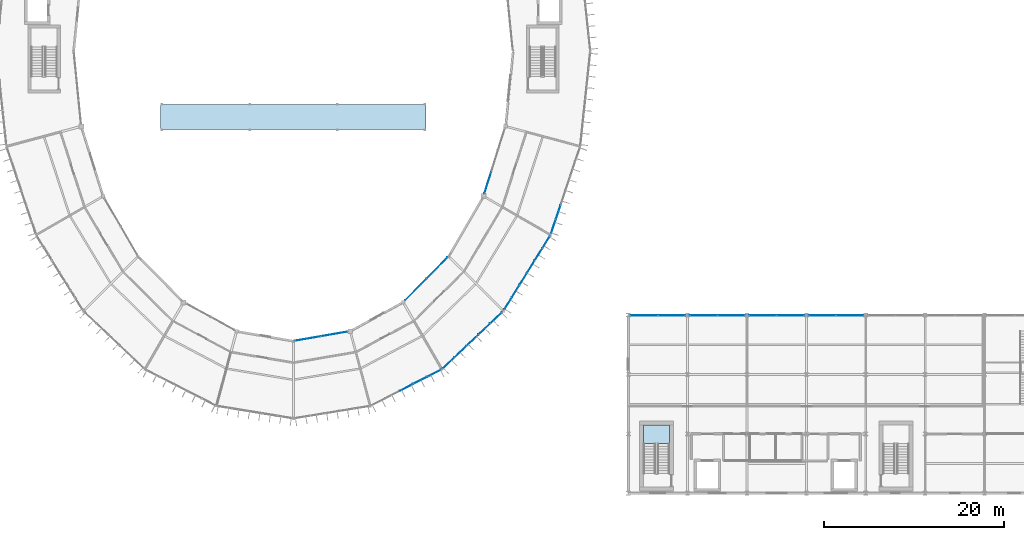
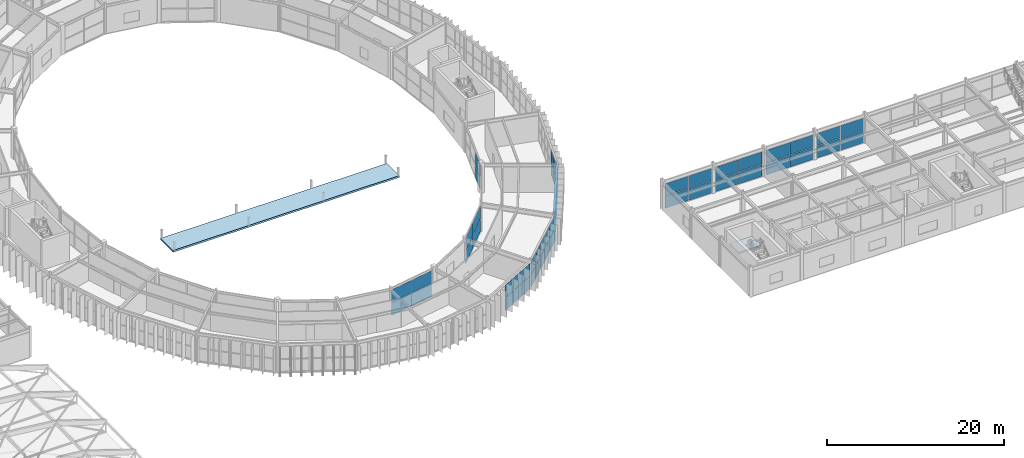
# One storey, part 115 of 157: 58 plates, 2 slabs, 12 elements without a shape of their own.
"""IFC4 building model written with IfcOpenShell, lengths in metres."""

from ifc_helpers import new_model, si_unit, direction, frame, origin, origin_2d, place, context, subcontext, project, spatial, polyline, rectangle, outline, extrude, material, layer, layer_set, type_object, element, aggregate, save


model = new_model("IFC4")

# Units and contexts
model_context = context("Model", 3, precision=1e-05, world=origin(), true_north=direction((0.0, 1.0)))
body_context = subcontext(model_context, "Body", "Model", "MODEL_VIEW")
ifc_project = project(units=[si_unit("LENGTHUNIT", "METRE"), si_unit("AREAUNIT", "SQUARE_METRE"), si_unit("VOLUMEUNIT", "CUBIC_METRE"), si_unit("PLANEANGLEUNIT", "RADIAN"), si_unit("MASSUNIT", "GRAM", prefix="KILO")], contexts=[model_context])

# Site, building, storey
site_placement = place(None, origin())
site = spatial("IfcSite", under=ifc_project, at=site_placement, CompositionType="ELEMENT")
building_placement = place(site_placement, origin())
building = spatial("IfcBuilding", under=site, at=building_placement, Name="Karori Crest Natural Sciences Institute", CompositionType="ELEMENT")
storey_placement = place(building_placement, frame((0.0, 0.0, 13.300048828125)))
storey = spatial("IfcBuildingStorey", under=building, at=storey_placement, Name="L03", CompositionType="ELEMENT", Elevation=13.300048828125)

# Curtain wall, plates
ifc_material_1 = material(Name="Anodised architectural aluminium 6063-T6", Category="aluminium")
curtain_wall_type_1 = type_object("IfcCurtainWallType", Name="CWT-14", PredefinedType="NOTDEFINED", material=ifc_material_1)
curtain_wall_1_placement = place(storey_placement, origin())
curtain_wall_1 = element("IfcCurtainWall", 1, at=curtain_wall_1_placement, inside=storey, type_object=curtain_wall_type_1, Name="Curtain wall CW-0128", PredefinedType="NOTDEFINED")
ifc_material_2 = material(Name="Double low-E laminated glass", Category="glass")
ifc_layer_1 = layer(ifc_material_2, 0.02392578125, Name="Double low-E laminated glass")
ifc_layer_set_1 = layer_set([ifc_layer_1], Name="Double low-E laminated glass")
plate_type_1 = type_object("IfcPlateType", Name="CWP-01", PredefinedType="CURTAIN_PANEL", material=ifc_layer_set_1)
plate_1_placement = place(storey_placement, frame((68.001953125, 17.978271484375, 0.06005859375), z_axis=(0.0, 0.0, 1.0), x_axis=(0.985240827231, 0.171173924291, 0.0)))
plate_1 = element("IfcPlate", 2, at=plate_1_placement, type_object=plate_type_1, Name="CW-0128 panel 1.1", PredefinedType="CURTAIN_PANEL", context=body_context, shape_type="SweptSolid", body=[
    extrude(rectangle(XDim=2.91796875, YDim=0.02392578125, at=origin_2d()), origin(), (0.0, 0.0, 1.0), 1.735107421875),
])
plate_2_placement = place(storey_placement, frame((68.001953125, 17.978271484375, 1.85498046875), z_axis=(0.0, 0.0, 1.0), x_axis=(0.985240827231, 0.171173924291, 0.0)))
plate_2 = element("IfcPlate", 3, at=plate_2_placement, type_object=plate_type_1, Name="CW-0128 panel 1.2", PredefinedType="CURTAIN_PANEL", context=body_context, shape_type="SweptSolid", body=[
    extrude(rectangle(XDim=2.91796875, YDim=0.02392578125, at=origin_2d()), origin(), (0.0, 0.0, 1.0), 1.735107421875),
])
plate_3_placement = place(storey_placement, frame((70.940673828125, 18.489013671875, 0.06005859375), z_axis=(0.0, 0.0, 1.0), x_axis=(0.985240827231, 0.171173924291, 0.0)))
plate_3 = element("IfcPlate", 4, at=plate_3_placement, type_object=plate_type_1, Name="CW-0128 panel 2.1", PredefinedType="CURTAIN_PANEL", context=body_context, shape_type="SweptSolid", body=[
    extrude(rectangle(XDim=2.91796875, YDim=0.02392578125, at=origin_2d()), origin(), (0.0, 0.0, 1.0), 1.735107421875),
])
plate_4_placement = place(storey_placement, frame((70.940673828125, 18.489013671875, 1.85498046875), z_axis=(0.0, 0.0, 1.0), x_axis=(0.985240827231, 0.171173924291, 0.0)))
plate_4 = element("IfcPlate", 5, at=plate_4_placement, type_object=plate_type_1, Name="CW-0128 panel 2.2", PredefinedType="CURTAIN_PANEL", context=body_context, shape_type="SweptSolid", body=[
    extrude(rectangle(XDim=2.91796875, YDim=0.02392578125, at=origin_2d()), origin(), (0.0, 0.0, 1.0), 1.735107421875),
])
aggregate(curtain_wall_1, [plate_1, plate_2, plate_3, plate_4])

curtain_wall_type_2 = type_object("IfcCurtainWallType", Name="CWT-11", PredefinedType="NOTDEFINED", material=ifc_material_1)
curtain_wall_2_placement = place(storey_placement, origin())
curtain_wall_2 = element("IfcCurtainWall", 6, at=curtain_wall_2_placement, inside=storey, type_object=curtain_wall_type_2, Name="Curtain wall CW-0131", PredefinedType="NOTDEFINED")
plate_5_placement = place(storey_placement, frame((79.99658203125, 23.42822265625, 0.06005859375), z_axis=(0.0, 0.0, 1.0), x_axis=(0.702660818381, 0.711524963942, 0.0)))
plate_5 = element("IfcPlate", 7, at=plate_5_placement, type_object=plate_type_1, Name="CW-0131 panel 1.1", PredefinedType="CURTAIN_PANEL", context=body_context, shape_type="SweptSolid", body=[
    extrude(rectangle(XDim=3.286865234375, YDim=0.02392578125, at=origin_2d()), origin(), (0.0, 0.0, 1.0), 1.735107421875),
])
plate_6_placement = place(storey_placement, frame((79.99658203125, 23.42822265625, 1.85498046875), z_axis=(0.0, 0.0, 1.0), x_axis=(0.702660818381, 0.711524963942, 0.0)))
plate_6 = element("IfcPlate", 8, at=plate_6_placement, type_object=plate_type_1, Name="CW-0131 panel 1.2", PredefinedType="CURTAIN_PANEL", context=body_context, shape_type="SweptSolid", body=[
    extrude(rectangle(XDim=3.286865234375, YDim=0.02392578125, at=origin_2d()), origin(), (0.0, 0.0, 1.0), 1.735107421875),
])
plate_7_placement = place(storey_placement, frame((82.351806640625, 25.813232421875, 0.06005859375), z_axis=(0.0, 0.0, 1.0), x_axis=(0.702660818381, 0.711524963942, 0.0)))
plate_7 = element("IfcPlate", 9, at=plate_7_placement, type_object=plate_type_1, Name="CW-0131 panel 2.1", PredefinedType="CURTAIN_PANEL", context=body_context, shape_type="SweptSolid", body=[
    extrude(rectangle(XDim=3.286865234375, YDim=0.02392578125, at=origin_2d()), origin(), (0.0, 0.0, 1.0), 1.735107421875),
])
plate_8_placement = place(storey_placement, frame((82.351806640625, 25.813232421875, 1.85498046875), z_axis=(0.0, 0.0, 1.0), x_axis=(0.702660818381, 0.711524963942, 0.0)))
plate_8 = element("IfcPlate", 10, at=plate_8_placement, type_object=plate_type_1, Name="CW-0131 panel 2.2", PredefinedType="CURTAIN_PANEL", context=body_context, shape_type="SweptSolid", body=[
    extrude(rectangle(XDim=3.286865234375, YDim=0.02392578125, at=origin_2d()), origin(), (0.0, 0.0, 1.0), 1.735107421875),
])
aggregate(curtain_wall_2, [plate_5, plate_6, plate_7, plate_8])

curtain_wall_type_3 = type_object("IfcCurtainWallType", Name="CWT-02", PredefinedType="NOTDEFINED", material=ifc_material_1)
curtain_wall_3_placement = place(storey_placement, origin())
curtain_wall_3 = element("IfcCurtainWall", 11, at=curtain_wall_3_placement, inside=storey, type_object=curtain_wall_type_3, Name="Curtain wall CW-0132", PredefinedType="NOTDEFINED")
plate_9_placement = place(storey_placement, frame((94.468505859375, 28.677978515625, 0.06005859375), z_axis=(0.0, 0.0, 1.0), x_axis=(-0.527323896352, -0.849664350398, 0.0)))
plate_9 = element("IfcPlate", 12, at=plate_9_placement, type_object=plate_type_1, Name="CW-0132 panel 1.1", PredefinedType="CURTAIN_PANEL", context=body_context, shape_type="SweptSolid", body=[
    extrude(rectangle(XDim=1.51025390625, YDim=0.02392578125, at=origin_2d()), origin(), (0.0, 0.0, 1.0), 1.722412109375),
])
plate_10_placement = place(storey_placement, frame((94.468505859375, 28.677978515625, 1.84228515625), z_axis=(0.0, 0.0, 1.0), x_axis=(-0.527323896352, -0.849664350398, 0.0)))
plate_10 = element("IfcPlate", 13, at=plate_10_placement, type_object=plate_type_1, Name="CW-0132 panel 1.2", PredefinedType="CURTAIN_PANEL", context=body_context, shape_type="SweptSolid", body=[
    extrude(rectangle(XDim=1.51025390625, YDim=0.02392578125, at=origin_2d()), origin(), (0.0, 0.0, 1.0), 1.722412109375),
])
plate_11_placement = place(storey_placement, frame((93.62939453125, 27.32568359375, 0.06005859375), z_axis=(0.0, 0.0, 1.0), x_axis=(-0.527323896352, -0.849664350398, 0.0)))
plate_11 = element("IfcPlate", 14, at=plate_11_placement, type_object=plate_type_1, Name="CW-0132 panel 2.1", PredefinedType="CURTAIN_PANEL", context=body_context, shape_type="SweptSolid", body=[
    extrude(rectangle(XDim=1.542724609375, YDim=0.02392578125, at=origin_2d()), origin(), (0.0, 0.0, 1.0), 1.722412109375),
])
plate_12_placement = place(storey_placement, frame((93.62939453125, 27.32568359375, 1.84228515625), z_axis=(0.0, 0.0, 1.0), x_axis=(-0.527323896352, -0.849664350398, 0.0)))
plate_12 = element("IfcPlate", 15, at=plate_12_placement, type_object=plate_type_1, Name="CW-0132 panel 2.2", PredefinedType="CURTAIN_PANEL", context=body_context, shape_type="SweptSolid", body=[
    extrude(rectangle(XDim=1.542724609375, YDim=0.02392578125, at=origin_2d()), origin(), (0.0, 0.0, 1.0), 1.722412109375),
])
plate_13_placement = place(storey_placement, frame((92.781494140625, 25.95947265625, 0.06005859375), z_axis=(0.0, 0.0, 1.0), x_axis=(-0.527323896352, -0.849664350398, 0.0)))
plate_13 = element("IfcPlate", 16, at=plate_13_placement, type_object=plate_type_1, Name="CW-0132 panel 3.1", PredefinedType="CURTAIN_PANEL", context=body_context, shape_type="SweptSolid", body=[
    extrude(rectangle(XDim=1.542724609375, YDim=0.02392578125, at=origin_2d()), origin(), (0.0, 0.0, 1.0), 1.722412109375),
])
plate_14_placement = place(storey_placement, frame((92.781494140625, 25.95947265625, 1.84228515625), z_axis=(0.0, 0.0, 1.0), x_axis=(-0.527323896352, -0.849664350398, 0.0)))
plate_14 = element("IfcPlate", 17, at=plate_14_placement, type_object=plate_type_1, Name="CW-0132 panel 3.2", PredefinedType="CURTAIN_PANEL", context=body_context, shape_type="SweptSolid", body=[
    extrude(rectangle(XDim=1.542724609375, YDim=0.02392578125, at=origin_2d()), origin(), (0.0, 0.0, 1.0), 1.722412109375),
])
plate_15_placement = place(storey_placement, frame((91.93359375, 24.593505859375, 0.06005859375), z_axis=(0.0, 0.0, 1.0), x_axis=(-0.527323896352, -0.849664350398, 0.0)))
plate_15 = element("IfcPlate", 18, at=plate_15_placement, type_object=plate_type_1, Name="CW-0132 panel 4.1", PredefinedType="CURTAIN_PANEL", context=body_context, shape_type="SweptSolid", body=[
    extrude(rectangle(XDim=1.542724609375, YDim=0.02392578125, at=origin_2d()), origin(), (0.0, 0.0, 1.0), 1.722412109375),
])
plate_16_placement = place(storey_placement, frame((91.93359375, 24.593505859375, 1.84228515625), z_axis=(0.0, 0.0, 1.0), x_axis=(-0.527323896352, -0.849664350398, 0.0)))
plate_16 = element("IfcPlate", 19, at=plate_16_placement, type_object=plate_type_1, Name="CW-0132 panel 4.2", PredefinedType="CURTAIN_PANEL", context=body_context, shape_type="SweptSolid", body=[
    extrude(rectangle(XDim=1.542724609375, YDim=0.02392578125, at=origin_2d()), origin(), (0.0, 0.0, 1.0), 1.722412109375),
])
plate_17_placement = place(storey_placement, frame((91.0859375, 23.227294921875, 0.06005859375), z_axis=(0.0, 0.0, 1.0), x_axis=(-0.527323896352, -0.849664350398, 0.0)))
plate_17 = element("IfcPlate", 20, at=plate_17_placement, type_object=plate_type_1, Name="CW-0132 panel 5.1", PredefinedType="CURTAIN_PANEL", context=body_context, shape_type="SweptSolid", body=[
    extrude(rectangle(XDim=1.542724609375, YDim=0.02392578125, at=origin_2d()), origin(), (0.0, 0.0, 1.0), 1.722412109375),
])
plate_18_placement = place(storey_placement, frame((91.0859375, 23.227294921875, 1.84228515625), z_axis=(0.0, 0.0, 1.0), x_axis=(-0.527323896352, -0.849664350398, 0.0)))
plate_18 = element("IfcPlate", 21, at=plate_18_placement, type_object=plate_type_1, Name="CW-0132 panel 5.2", PredefinedType="CURTAIN_PANEL", context=body_context, shape_type="SweptSolid", body=[
    extrude(rectangle(XDim=1.542724609375, YDim=0.02392578125, at=origin_2d()), origin(), (0.0, 0.0, 1.0), 1.722412109375),
])
plate_19_placement = place(storey_placement, frame((90.24658203125, 21.875244140625, 0.06005859375), z_axis=(0.0, 0.0, 1.0), x_axis=(-0.527323896352, -0.849664350398, 0.0)))
plate_19 = element("IfcPlate", 22, at=plate_19_placement, type_object=plate_type_1, Name="CW-0132 panel 6.1", PredefinedType="CURTAIN_PANEL", context=body_context, shape_type="SweptSolid", body=[
    extrude(rectangle(XDim=1.51025390625, YDim=0.02392578125, at=origin_2d()), origin(), (0.0, 0.0, 1.0), 1.722412109375),
])
plate_20_placement = place(storey_placement, frame((90.24658203125, 21.875244140625, 1.84228515625), z_axis=(0.0, 0.0, 1.0), x_axis=(-0.527323896352, -0.849664350398, 0.0)))
plate_20 = element("IfcPlate", 23, at=plate_20_placement, type_object=plate_type_1, Name="CW-0132 panel 6.2", PredefinedType="CURTAIN_PANEL", context=body_context, shape_type="SweptSolid", body=[
    extrude(rectangle(XDim=1.51025390625, YDim=0.02392578125, at=origin_2d()), origin(), (0.0, 0.0, 1.0), 1.722412109375),
])
aggregate(curtain_wall_3, [plate_9, plate_10, plate_11, plate_12, plate_13, plate_14, plate_15, plate_16, plate_17, plate_18, plate_19, plate_20])

curtain_wall_type_4 = type_object("IfcCurtainWallType", Name="CWT-13", PredefinedType="NOTDEFINED", material=ifc_material_1)
curtain_wall_4_placement = place(storey_placement, origin())
curtain_wall_4 = element("IfcCurtainWall", 24, at=curtain_wall_4_placement, inside=storey, type_object=curtain_wall_type_4, Name="Curtain wall CW-0134", PredefinedType="NOTDEFINED")
plate_21_placement = place(storey_placement, frame((88.003173828125, 35.304443359375, 0.06005859375), z_axis=(0.0, 0.0, 1.0), x_axis=(0.299475254154, 0.954104067778, 0.0)))
plate_21 = element("IfcPlate", 25, at=plate_21_placement, type_object=plate_type_1, Name="CW-0134 panel 1.1", PredefinedType="CURTAIN_PANEL", context=body_context, shape_type="SweptSolid", body=[
    extrude(rectangle(XDim=2.451171875, YDim=0.02392578125, at=origin_2d()), origin(), (0.0, 0.0, 1.0), 1.735107421875),
])
plate_22_placement = place(storey_placement, frame((88.003173828125, 35.304443359375, 1.85498046875), z_axis=(0.0, 0.0, 1.0), x_axis=(0.299475254154, 0.954104067778, 0.0)))
plate_22 = element("IfcPlate", 26, at=plate_22_placement, type_object=plate_type_1, Name="CW-0134 panel 1.2", PredefinedType="CURTAIN_PANEL", context=body_context, shape_type="SweptSolid", body=[
    extrude(rectangle(XDim=2.451171875, YDim=0.02392578125, at=origin_2d()), origin(), (0.0, 0.0, 1.0), 1.735107421875),
])
aggregate(curtain_wall_4, [plate_21, plate_22])

curtain_wall_type_5 = type_object("IfcCurtainWallType", Name="CWT-20", PredefinedType="NOTDEFINED", material=ifc_material_1)
curtain_wall_5_placement = place(storey_placement, origin())
curtain_wall_5 = element("IfcCurtainWall", 27, at=curtain_wall_5_placement, inside=storey, type_object=curtain_wall_type_5, Name="Curtain wall CW-0322", PredefinedType="NOTDEFINED")
plate_23_placement = place(storey_placement, frame((105.365234375, 20.5400390625, 0.059814453125), z_axis=(0.0, 0.0, 1.0), x_axis=(1.0, 0.0, 0.0)))
plate_23 = element("IfcPlate", 28, at=plate_23_placement, type_object=plate_type_1, Name="CW-0322 panel 1.1", PredefinedType="CURTAIN_PANEL", context=body_context, shape_type="SweptSolid", body=[
    extrude(rectangle(XDim=3.00439453125, YDim=0.02392578125, at=origin_2d()), origin(), (0.0, 0.0, 1.0), 1.66259765625),
])
plate_24_placement = place(storey_placement, frame((105.365234375, 20.5400390625, 1.782470703125), z_axis=(0.0, 0.0, 1.0), x_axis=(1.0, 0.0, 0.0)))
plate_24 = element("IfcPlate", 29, at=plate_24_placement, type_object=plate_type_1, Name="CW-0322 panel 1.2", PredefinedType="CURTAIN_PANEL", context=body_context, shape_type="SweptSolid", body=[
    extrude(rectangle(XDim=3.00439453125, YDim=0.02392578125, at=origin_2d()), origin(), (0.0, 0.0, 1.0), 1.66259765625),
])
plate_25_placement = place(storey_placement, frame((108.434814453125, 20.5400390625, 0.059814453125), z_axis=(0.0, 0.0, 1.0), x_axis=(1.0, 0.0, 0.0)))
plate_25 = element("IfcPlate", 30, at=plate_25_placement, type_object=plate_type_1, Name="CW-0322 panel 2.1", PredefinedType="CURTAIN_PANEL", context=body_context, shape_type="SweptSolid", body=[
    extrude(rectangle(XDim=3.00439453125, YDim=0.02392578125, at=origin_2d()), origin(), (0.0, 0.0, 1.0), 1.66259765625),
])
plate_26_placement = place(storey_placement, frame((108.434814453125, 20.5400390625, 1.782470703125), z_axis=(0.0, 0.0, 1.0), x_axis=(1.0, 0.0, 0.0)))
plate_26 = element("IfcPlate", 31, at=plate_26_placement, type_object=plate_type_1, Name="CW-0322 panel 2.2", PredefinedType="CURTAIN_PANEL", context=body_context, shape_type="SweptSolid", body=[
    extrude(rectangle(XDim=3.00439453125, YDim=0.02392578125, at=origin_2d()), origin(), (0.0, 0.0, 1.0), 1.66259765625),
])
aggregate(curtain_wall_5, [plate_23, plate_24, plate_25, plate_26])

curtain_wall_6_placement = place(storey_placement, origin())
curtain_wall_6 = element("IfcCurtainWall", 32, at=curtain_wall_6_placement, inside=storey, type_object=curtain_wall_type_5, Name="Curtain wall CW-0323", PredefinedType="NOTDEFINED")
plate_27_placement = place(storey_placement, frame((111.96533203125, 20.5400390625, 0.059814453125), z_axis=(0.0, 0.0, 1.0), x_axis=(1.0, 0.0, 0.0)))
plate_27 = element("IfcPlate", 33, at=plate_27_placement, type_object=plate_type_1, Name="CW-0323 panel 1.1", PredefinedType="CURTAIN_PANEL", context=body_context, shape_type="SweptSolid", body=[
    extrude(rectangle(XDim=3.00439453125, YDim=0.02392578125, at=origin_2d()), origin(), (0.0, 0.0, 1.0), 1.66259765625),
])
plate_28_placement = place(storey_placement, frame((111.96533203125, 20.5400390625, 1.782470703125), z_axis=(0.0, 0.0, 1.0), x_axis=(1.0, 0.0, 0.0)))
plate_28 = element("IfcPlate", 34, at=plate_28_placement, type_object=plate_type_1, Name="CW-0323 panel 1.2", PredefinedType="CURTAIN_PANEL", context=body_context, shape_type="SweptSolid", body=[
    extrude(rectangle(XDim=3.00439453125, YDim=0.02392578125, at=origin_2d()), origin(), (0.0, 0.0, 1.0), 1.66259765625),
])
plate_29_placement = place(storey_placement, frame((115.03466796875, 20.5400390625, 0.059814453125), z_axis=(0.0, 0.0, 1.0), x_axis=(1.0, 0.0, 0.0)))
plate_29 = element("IfcPlate", 35, at=plate_29_placement, type_object=plate_type_1, Name="CW-0323 panel 2.1", PredefinedType="CURTAIN_PANEL", context=body_context, shape_type="SweptSolid", body=[
    extrude(rectangle(XDim=3.00439453125, YDim=0.02392578125, at=origin_2d()), origin(), (0.0, 0.0, 1.0), 1.66259765625),
])
plate_30_placement = place(storey_placement, frame((115.03466796875, 20.5400390625, 1.782470703125), z_axis=(0.0, 0.0, 1.0), x_axis=(1.0, 0.0, 0.0)))
plate_30 = element("IfcPlate", 36, at=plate_30_placement, type_object=plate_type_1, Name="CW-0323 panel 2.2", PredefinedType="CURTAIN_PANEL", context=body_context, shape_type="SweptSolid", body=[
    extrude(rectangle(XDim=3.00439453125, YDim=0.02392578125, at=origin_2d()), origin(), (0.0, 0.0, 1.0), 1.66259765625),
])
aggregate(curtain_wall_6, [plate_27, plate_28, plate_29, plate_30])

curtain_wall_7_placement = place(storey_placement, origin())
curtain_wall_7 = element("IfcCurtainWall", 37, at=curtain_wall_7_placement, inside=storey, type_object=curtain_wall_type_5, Name="Curtain wall CW-0324", PredefinedType="NOTDEFINED")
plate_31_placement = place(storey_placement, frame((118.565185546875, 20.5400390625, 0.059814453125), z_axis=(0.0, 0.0, 1.0), x_axis=(1.0, 0.0, 0.0)))
plate_31 = element("IfcPlate", 38, at=plate_31_placement, type_object=plate_type_1, Name="CW-0324 panel 1.1", PredefinedType="CURTAIN_PANEL", context=body_context, shape_type="SweptSolid", body=[
    extrude(rectangle(XDim=3.00439453125, YDim=0.02392578125, at=origin_2d()), origin(), (0.0, 0.0, 1.0), 1.66259765625),
])
plate_32_placement = place(storey_placement, frame((118.565185546875, 20.5400390625, 1.782470703125), z_axis=(0.0, 0.0, 1.0), x_axis=(1.0, 0.0, 0.0)))
plate_32 = element("IfcPlate", 39, at=plate_32_placement, type_object=plate_type_1, Name="CW-0324 panel 1.2", PredefinedType="CURTAIN_PANEL", context=body_context, shape_type="SweptSolid", body=[
    extrude(rectangle(XDim=3.00439453125, YDim=0.02392578125, at=origin_2d()), origin(), (0.0, 0.0, 1.0), 1.66259765625),
])
plate_33_placement = place(storey_placement, frame((121.634765625, 20.5400390625, 0.059814453125), z_axis=(0.0, 0.0, 1.0), x_axis=(1.0, 0.0, 0.0)))
plate_33 = element("IfcPlate", 40, at=plate_33_placement, type_object=plate_type_1, Name="CW-0324 panel 2.1", PredefinedType="CURTAIN_PANEL", context=body_context, shape_type="SweptSolid", body=[
    extrude(rectangle(XDim=3.00439453125, YDim=0.02392578125, at=origin_2d()), origin(), (0.0, 0.0, 1.0), 1.66259765625),
])
plate_34_placement = place(storey_placement, frame((121.634765625, 20.5400390625, 1.782470703125), z_axis=(0.0, 0.0, 1.0), x_axis=(1.0, 0.0, 0.0)))
plate_34 = element("IfcPlate", 41, at=plate_34_placement, type_object=plate_type_1, Name="CW-0324 panel 2.2", PredefinedType="CURTAIN_PANEL", context=body_context, shape_type="SweptSolid", body=[
    extrude(rectangle(XDim=3.00439453125, YDim=0.02392578125, at=origin_2d()), origin(), (0.0, 0.0, 1.0), 1.66259765625),
])
aggregate(curtain_wall_7, [plate_31, plate_32, plate_33, plate_34])

curtain_wall_8_placement = place(storey_placement, origin())
curtain_wall_8 = element("IfcCurtainWall", 42, at=curtain_wall_8_placement, inside=storey, type_object=curtain_wall_type_5, Name="Curtain wall CW-0325", PredefinedType="NOTDEFINED")
plate_35_placement = place(storey_placement, frame((125.165283203125, 20.5400390625, 0.059814453125), z_axis=(0.0, 0.0, 1.0), x_axis=(1.0, 0.0, 0.0)))
plate_35 = element("IfcPlate", 43, at=plate_35_placement, type_object=plate_type_1, Name="CW-0325 panel 1.1", PredefinedType="CURTAIN_PANEL", context=body_context, shape_type="SweptSolid", body=[
    extrude(rectangle(XDim=3.00439453125, YDim=0.02392578125, at=origin_2d()), origin(), (0.0, 0.0, 1.0), 1.66259765625),
])
plate_36_placement = place(storey_placement, frame((125.165283203125, 20.5400390625, 1.782470703125), z_axis=(0.0, 0.0, 1.0), x_axis=(1.0, 0.0, 0.0)))
plate_36 = element("IfcPlate", 44, at=plate_36_placement, type_object=plate_type_1, Name="CW-0325 panel 1.2", PredefinedType="CURTAIN_PANEL", context=body_context, shape_type="SweptSolid", body=[
    extrude(rectangle(XDim=3.00439453125, YDim=0.02392578125, at=origin_2d()), origin(), (0.0, 0.0, 1.0), 1.66259765625),
])
plate_37_placement = place(storey_placement, frame((128.23486328125, 20.5400390625, 0.059814453125), z_axis=(0.0, 0.0, 1.0), x_axis=(1.0, 0.0, 0.0)))
plate_37 = element("IfcPlate", 45, at=plate_37_placement, type_object=plate_type_1, Name="CW-0325 panel 2.1", PredefinedType="CURTAIN_PANEL", context=body_context, shape_type="SweptSolid", body=[
    extrude(rectangle(XDim=3.00439453125, YDim=0.02392578125, at=origin_2d()), origin(), (0.0, 0.0, 1.0), 1.66259765625),
])
plate_38_placement = place(storey_placement, frame((128.23486328125, 20.5400390625, 1.782470703125), z_axis=(0.0, 0.0, 1.0), x_axis=(1.0, 0.0, 0.0)))
plate_38 = element("IfcPlate", 46, at=plate_38_placement, type_object=plate_type_1, Name="CW-0325 panel 2.2", PredefinedType="CURTAIN_PANEL", context=body_context, shape_type="SweptSolid", body=[
    extrude(rectangle(XDim=3.00439453125, YDim=0.02392578125, at=origin_2d()), origin(), (0.0, 0.0, 1.0), 1.66259765625),
])
aggregate(curtain_wall_8, [plate_35, plate_36, plate_37, plate_38])

curtain_wall_type_6 = type_object("IfcCurtainWallType", Name="CWT-10", PredefinedType="NOTDEFINED", material=ifc_material_1)
curtain_wall_9_placement = place(storey_placement, origin())
curtain_wall_9 = element("IfcCurtainWall", 47, at=curtain_wall_9_placement, inside=storey, type_object=curtain_wall_type_6, Name="Curtain wall CW-0129", PredefinedType="NOTDEFINED")
ifc_layer_2 = layer(ifc_material_2, 0.033935546875, Name="Double low-E laminated glass")
ifc_layer_set_2 = layer_set([ifc_layer_2], Name="Double low-E laminated glass")
plate_type_2 = type_object("IfcPlateType", Name="CWP-02", PredefinedType="CURTAIN_PANEL", material=ifc_layer_set_2)
plate_39_placement = place(storey_placement, frame((82.034423828125, 14.123046875, 0.06005859375), z_axis=(0.0, 0.0, 1.0), x_axis=(-0.890067432138, -0.455828878252, 0.0)))
plate_39 = element("IfcPlate", 48, at=plate_39_placement, type_object=plate_type_2, Name="CW-0129 panel 1.1", PredefinedType="CURTAIN_PANEL", context=body_context, shape_type="SweptSolid", body=[
    extrude(rectangle(XDim=1.645751953125, YDim=0.033935546875, at=origin_2d()), origin(), (0.0, 0.0, 1.0), 1.722412109375),
])
plate_40_placement = place(storey_placement, frame((82.034423828125, 14.123046875, 1.84228515625), z_axis=(0.0, 0.0, 1.0), x_axis=(-0.890067432138, -0.455828878252, 0.0)))
plate_40 = element("IfcPlate", 49, at=plate_40_placement, type_object=plate_type_2, Name="CW-0129 panel 1.2", PredefinedType="CURTAIN_PANEL", context=body_context, shape_type="SweptSolid", body=[
    extrude(rectangle(XDim=1.645751953125, YDim=0.033935546875, at=origin_2d()), origin(), (0.0, 0.0, 1.0), 1.722412109375),
])
plate_41_placement = place(storey_placement, frame((80.497314453125, 13.335693359375, 0.06005859375), z_axis=(0.0, 0.0, 1.0), x_axis=(-0.890067432138, -0.455828878252, 0.0)))
plate_41 = element("IfcPlate", 50, at=plate_41_placement, type_object=plate_type_2, Name="CW-0129 panel 2.1", PredefinedType="CURTAIN_PANEL", context=body_context, shape_type="SweptSolid", body=[
    extrude(rectangle(XDim=1.678466796875, YDim=0.033935546875, at=origin_2d()), origin(), (0.0, 0.0, 1.0), 1.722412109375),
])
plate_42_placement = place(storey_placement, frame((80.497314453125, 13.335693359375, 1.84228515625), z_axis=(0.0, 0.0, 1.0), x_axis=(-0.890067432138, -0.455828878252, 0.0)))
plate_42 = element("IfcPlate", 51, at=plate_42_placement, type_object=plate_type_2, Name="CW-0129 panel 2.2", PredefinedType="CURTAIN_PANEL", context=body_context, shape_type="SweptSolid", body=[
    extrude(rectangle(XDim=1.678466796875, YDim=0.033935546875, at=origin_2d()), origin(), (0.0, 0.0, 1.0), 1.722412109375),
])
plate_43_placement = place(storey_placement, frame((78.945556640625, 12.541015625, 0.06005859375), z_axis=(0.0, 0.0, 1.0), x_axis=(-0.890067432138, -0.455828878252, 0.0)))
plate_43 = element("IfcPlate", 52, at=plate_43_placement, type_object=plate_type_2, Name="CW-0129 panel 3.1", PredefinedType="CURTAIN_PANEL", context=body_context, shape_type="SweptSolid", body=[
    extrude(rectangle(XDim=1.678466796875, YDim=0.033935546875, at=origin_2d()), origin(), (0.0, 0.0, 1.0), 1.722412109375),
])
plate_44_placement = place(storey_placement, frame((78.945556640625, 12.541015625, 1.84228515625), z_axis=(0.0, 0.0, 1.0), x_axis=(-0.890067432138, -0.455828878252, 0.0)))
plate_44 = element("IfcPlate", 53, at=plate_44_placement, type_object=plate_type_2, Name="CW-0129 panel 3.2", PredefinedType="CURTAIN_PANEL", context=body_context, shape_type="SweptSolid", body=[
    extrude(rectangle(XDim=1.678466796875, YDim=0.033935546875, at=origin_2d()), origin(), (0.0, 0.0, 1.0), 1.722412109375),
])
aggregate(curtain_wall_9, [plate_39, plate_40, plate_41, plate_42, plate_43, plate_44])

curtain_wall_type_7 = type_object("IfcCurtainWallType", Name="CWT-03", PredefinedType="NOTDEFINED", material=ifc_material_1)
curtain_wall_10_placement = place(storey_placement, origin())
curtain_wall_10 = element("IfcCurtainWall", 54, at=curtain_wall_10_placement, inside=storey, type_object=curtain_wall_type_7, Name="Curtain wall CW-0133", PredefinedType="NOTDEFINED")
plate_45_placement = place(storey_placement, frame((95.827880859375, 32.0341796875, 0.06494140625), z_axis=(0.0, 0.0, 1.0), x_axis=(-0.317679803392, -0.94819805026, 0.0)))
plate_45 = element("IfcPlate", 55, at=plate_45_placement, type_object=plate_type_2, Name="CW-0133 panel 5.1", PredefinedType="CURTAIN_PANEL", context=body_context, shape_type="SweptSolid", body=[
    extrude(rectangle(XDim=1.628662109375, YDim=0.033935546875, at=origin_2d()), origin(), (0.0, 0.0, 1.0), 1.715087890625),
])
plate_46_placement = place(storey_placement, frame((95.827880859375, 32.0341796875, 1.8447265625), z_axis=(0.0, 0.0, 1.0), x_axis=(-0.317679803392, -0.94819805026, 0.0)))
plate_46 = element("IfcPlate", 56, at=plate_46_placement, type_object=plate_type_2, Name="CW-0133 panel 5.2", PredefinedType="CURTAIN_PANEL", context=body_context, shape_type="SweptSolid", body=[
    extrude(rectangle(XDim=1.628662109375, YDim=0.033935546875, at=origin_2d()), origin(), (0.0, 0.0, 1.0), 1.715087890625),
])
plate_47_placement = place(storey_placement, frame((95.294921875, 30.443603515625, 0.06494140625), z_axis=(0.0, 0.0, 1.0), x_axis=(-0.317679803392, -0.94819805026, 0.0)))
plate_47 = element("IfcPlate", 57, at=plate_47_placement, type_object=plate_type_2, Name="CW-0133 panel 6.1", PredefinedType="CURTAIN_PANEL", context=body_context, shape_type="SweptSolid", body=[
    extrude(rectangle(XDim=1.59619140625, YDim=0.033935546875, at=origin_2d()), origin(), (0.0, 0.0, 1.0), 1.715087890625),
])
plate_48_placement = place(storey_placement, frame((95.294921875, 30.443603515625, 1.8447265625), z_axis=(0.0, 0.0, 1.0), x_axis=(-0.317679803392, -0.94819805026, 0.0)))
plate_48 = element("IfcPlate", 58, at=plate_48_placement, type_object=plate_type_2, Name="CW-0133 panel 6.2", PredefinedType="CURTAIN_PANEL", context=body_context, shape_type="SweptSolid", body=[
    extrude(rectangle(XDim=1.59619140625, YDim=0.033935546875, at=origin_2d()), origin(), (0.0, 0.0, 1.0), 1.715087890625),
])
aggregate(curtain_wall_10, [plate_45, plate_46, plate_47, plate_48])

curtain_wall_type_8 = type_object("IfcCurtainWallType", Name="CWT-01", PredefinedType="NOTDEFINED", material=ifc_material_1)
curtain_wall_11_placement = place(storey_placement, origin())
curtain_wall_11 = element("IfcCurtainWall", 59, at=curtain_wall_11_placement, inside=storey, type_object=curtain_wall_type_8, Name="Curtain wall CW-0130", PredefinedType="NOTDEFINED")
ifc_layer_3 = layer(ifc_material_2, 0.0439453125, Name="Double low-E laminated glass")
ifc_layer_set_3 = layer_set([ifc_layer_3], Name="Double low-E laminated glass")
plate_type_3 = type_object("IfcPlateType", Name="CWP-03", PredefinedType="CURTAIN_PANEL", material=ifc_layer_set_3)
plate_49_placement = place(storey_placement, frame((88.932861328125, 20.28955078125, 0.06494140625), z_axis=(0.0, 0.0, 1.0), x_axis=(-0.725473081026, -0.688250542104, 0.0)))
plate_49 = element("IfcPlate", 60, at=plate_49_placement, type_object=plate_type_3, Name="CW-0130 panel 1.1", PredefinedType="CURTAIN_PANEL", context=body_context, shape_type="SweptSolid", body=[
    extrude(rectangle(XDim=1.73095703125, YDim=0.0439453125, at=origin_2d()), origin(), (0.0, 0.0, 1.0), 1.715087890625),
])
plate_50_placement = place(storey_placement, frame((88.932861328125, 20.28955078125, 1.8447265625), z_axis=(0.0, 0.0, 1.0), x_axis=(-0.725473081026, -0.688250542104, 0.0)))
plate_50 = element("IfcPlate", 61, at=plate_50_placement, type_object=plate_type_3, Name="CW-0130 panel 1.2", PredefinedType="CURTAIN_PANEL", context=body_context, shape_type="SweptSolid", body=[
    extrude(rectangle(XDim=1.73095703125, YDim=0.0439453125, at=origin_2d()), origin(), (0.0, 0.0, 1.0), 1.715087890625),
])
plate_51_placement = place(storey_placement, frame((87.6181640625, 19.042236328125, 0.06494140625), z_axis=(0.0, 0.0, 1.0), x_axis=(-0.725473081026, -0.688250542104, 0.0)))
plate_51 = element("IfcPlate", 62, at=plate_51_placement, type_object=plate_type_3, Name="CW-0130 panel 2.1", PredefinedType="CURTAIN_PANEL", context=body_context, shape_type="SweptSolid", body=[
    extrude(rectangle(XDim=1.763427734375, YDim=0.0439453125, at=origin_2d()), origin(), (0.0, 0.0, 1.0), 1.715087890625),
])
plate_52_placement = place(storey_placement, frame((87.6181640625, 19.042236328125, 1.8447265625), z_axis=(0.0, 0.0, 1.0), x_axis=(-0.725473081026, -0.688250542104, 0.0)))
plate_52 = element("IfcPlate", 63, at=plate_52_placement, type_object=plate_type_3, Name="CW-0130 panel 2.2", PredefinedType="CURTAIN_PANEL", context=body_context, shape_type="SweptSolid", body=[
    extrude(rectangle(XDim=1.763427734375, YDim=0.0439453125, at=origin_2d()), origin(), (0.0, 0.0, 1.0), 1.715087890625),
])
plate_53_placement = place(storey_placement, frame((86.291748046875, 17.783935546875, 0.06494140625), z_axis=(0.0, 0.0, 1.0), x_axis=(-0.725473081026, -0.688250542104, 0.0)))
plate_53 = element("IfcPlate", 64, at=plate_53_placement, type_object=plate_type_3, Name="CW-0130 panel 3.1", PredefinedType="CURTAIN_PANEL", context=body_context, shape_type="SweptSolid", body=[
    extrude(rectangle(XDim=1.763427734375, YDim=0.0439453125, at=origin_2d()), origin(), (0.0, 0.0, 1.0), 1.715087890625),
])
plate_54_placement = place(storey_placement, frame((86.291748046875, 17.783935546875, 1.8447265625), z_axis=(0.0, 0.0, 1.0), x_axis=(-0.725473081026, -0.688250542104, 0.0)))
plate_54 = element("IfcPlate", 65, at=plate_54_placement, type_object=plate_type_3, Name="CW-0130 panel 3.2", PredefinedType="CURTAIN_PANEL", context=body_context, shape_type="SweptSolid", body=[
    extrude(rectangle(XDim=1.763427734375, YDim=0.0439453125, at=origin_2d()), origin(), (0.0, 0.0, 1.0), 1.715087890625),
])
plate_55_placement = place(storey_placement, frame((84.96533203125, 16.525390625, 0.06494140625), z_axis=(0.0, 0.0, 1.0), x_axis=(-0.725473081026, -0.688250542104, 0.0)))
plate_55 = element("IfcPlate", 66, at=plate_55_placement, type_object=plate_type_3, Name="CW-0130 panel 4.1", PredefinedType="CURTAIN_PANEL", context=body_context, shape_type="SweptSolid", body=[
    extrude(rectangle(XDim=1.763427734375, YDim=0.0439453125, at=origin_2d()), origin(), (0.0, 0.0, 1.0), 1.715087890625),
])
plate_56_placement = place(storey_placement, frame((84.96533203125, 16.525390625, 1.8447265625), z_axis=(0.0, 0.0, 1.0), x_axis=(-0.725473081026, -0.688250542104, 0.0)))
plate_56 = element("IfcPlate", 67, at=plate_56_placement, type_object=plate_type_3, Name="CW-0130 panel 4.2", PredefinedType="CURTAIN_PANEL", context=body_context, shape_type="SweptSolid", body=[
    extrude(rectangle(XDim=1.763427734375, YDim=0.0439453125, at=origin_2d()), origin(), (0.0, 0.0, 1.0), 1.715087890625),
])
plate_57_placement = place(storey_placement, frame((83.650634765625, 15.2783203125, 0.06494140625), z_axis=(0.0, 0.0, 1.0), x_axis=(-0.725473081026, -0.688250542104, 0.0)))
plate_57 = element("IfcPlate", 68, at=plate_57_placement, type_object=plate_type_3, Name="CW-0130 panel 5.1", PredefinedType="CURTAIN_PANEL", context=body_context, shape_type="SweptSolid", body=[
    extrude(rectangle(XDim=1.73095703125, YDim=0.0439453125, at=origin_2d()), origin(), (0.0, 0.0, 1.0), 1.715087890625),
])
plate_58_placement = place(storey_placement, frame((83.650634765625, 15.2783203125, 1.8447265625), z_axis=(0.0, 0.0, 1.0), x_axis=(-0.725473081026, -0.688250542104, 0.0)))
plate_58 = element("IfcPlate", 69, at=plate_58_placement, type_object=plate_type_3, Name="CW-0130 panel 5.2", PredefinedType="CURTAIN_PANEL", context=body_context, shape_type="SweptSolid", body=[
    extrude(rectangle(XDim=1.73095703125, YDim=0.0439453125, at=origin_2d()), origin(), (0.0, 0.0, 1.0), 1.715087890625),
])
aggregate(curtain_wall_11, [plate_49, plate_50, plate_51, plate_52, plate_53, plate_54, plate_55, plate_56, plate_57, plate_58])

# Stair, slab
ifc_material_3 = material(Name="Concrete 40 MPa", Category="concrete")
stair_type = type_object("IfcStairType", Name="STT-01", PredefinedType="HALF_TURN_STAIR", material=ifc_material_3)
stair_placement = place(storey_placement, origin())
stair = element("IfcStair", 70, at=stair_placement, inside=storey, type_object=stair_type, Name="Protected stair ST-03-L03", PredefinedType="HALF_TURN_STAIR")
ifc_layer_4 = layer(ifc_material_3, 0.2099609375, Name="Concrete 40 MPa")
ifc_layer_set_4 = layer_set([ifc_layer_4], Name="Concrete 40 MPa")
slab_type_1 = type_object("IfcSlabType", Name="SLT-11", PredefinedType="LANDING", material=ifc_layer_set_4)
slab_1_placement = place(storey_placement, frame((0.0, 0.0, 1.889892578125)))
slab_1 = element("IfcSlab", 71, at=slab_1_placement, type_object=slab_type_1, Name="ST-03-L03 landing 1", PredefinedType="LANDING", context=body_context, shape_type="SweptSolid", body=[
    extrude(outline(polyline([(108.199951171875, 6.300048828125), (108.199951171875, 8.39990234375), (105.300048828125, 8.39990234375), (105.300048828125, 6.300048828125), (108.199951171875, 6.300048828125)])), origin(), (0.0, 0.0, 1.0), 0.2099609375),
])
aggregate(stair, [slab_1])

# Slab
ifc_layer_5 = layer(ifc_material_3, 0.25, Name="Concrete 40 MPa")
ifc_layer_set_5 = layer_set([ifc_layer_5], Name="Concrete 40 MPa")
slab_type_2 = type_object("IfcSlabType", Name="SLT-13", PredefinedType="ROOF", material=ifc_layer_set_5)
slab_2_placement = place(storey_placement, frame((0.0, 0.0, -0.25)))
element("IfcSlab", 72, at=slab_2_placement, inside=storey, type_object=slab_type_2, Name="V1-BR Slab SL-0108", PredefinedType="ROOF", context=body_context, shape_type="SweptSolid", body=[
    extrude(outline(polyline([(51.639892578125, 41.199951171875), (81.159912109375, 41.199951171875), (81.159912109375, 44.0), (51.639892578125, 44.0), (51.639892578125, 41.199951171875)])), origin(), (0.0, 0.0, 1.0), 0.25),
])

save(model, "model.ifc")
